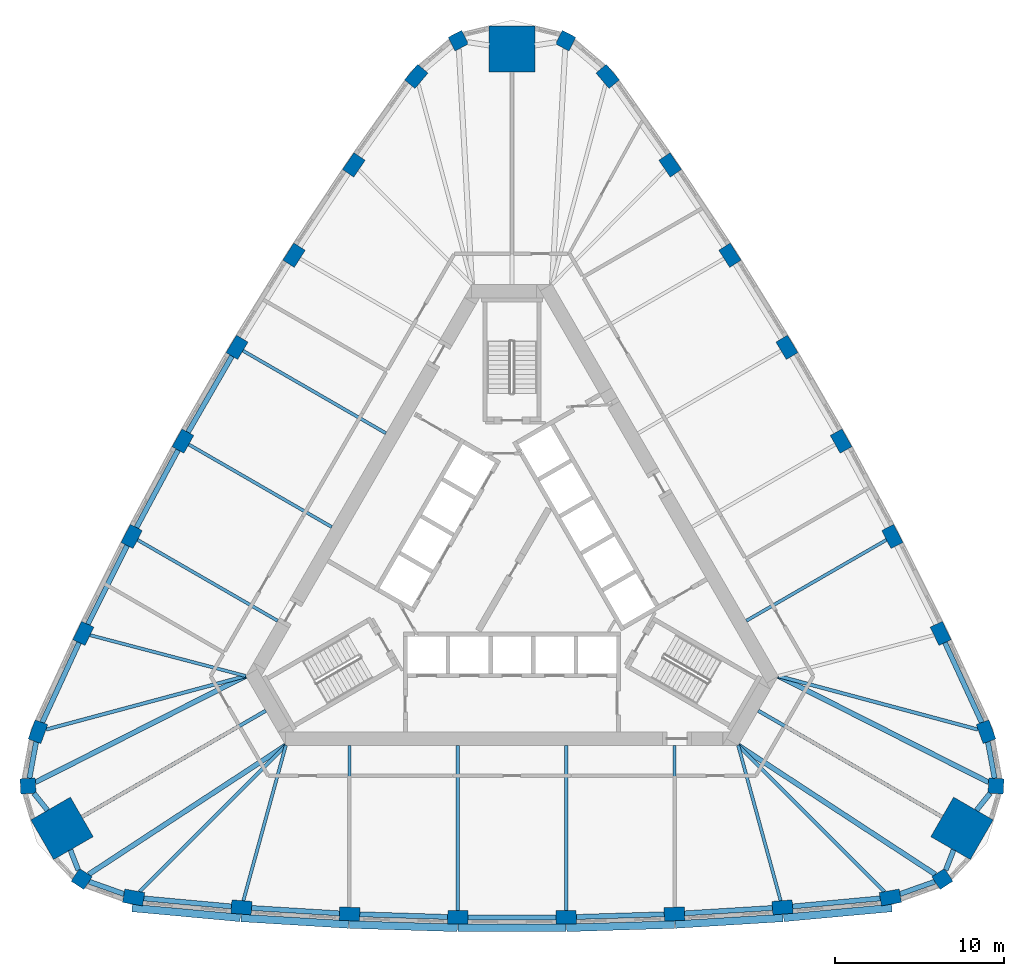
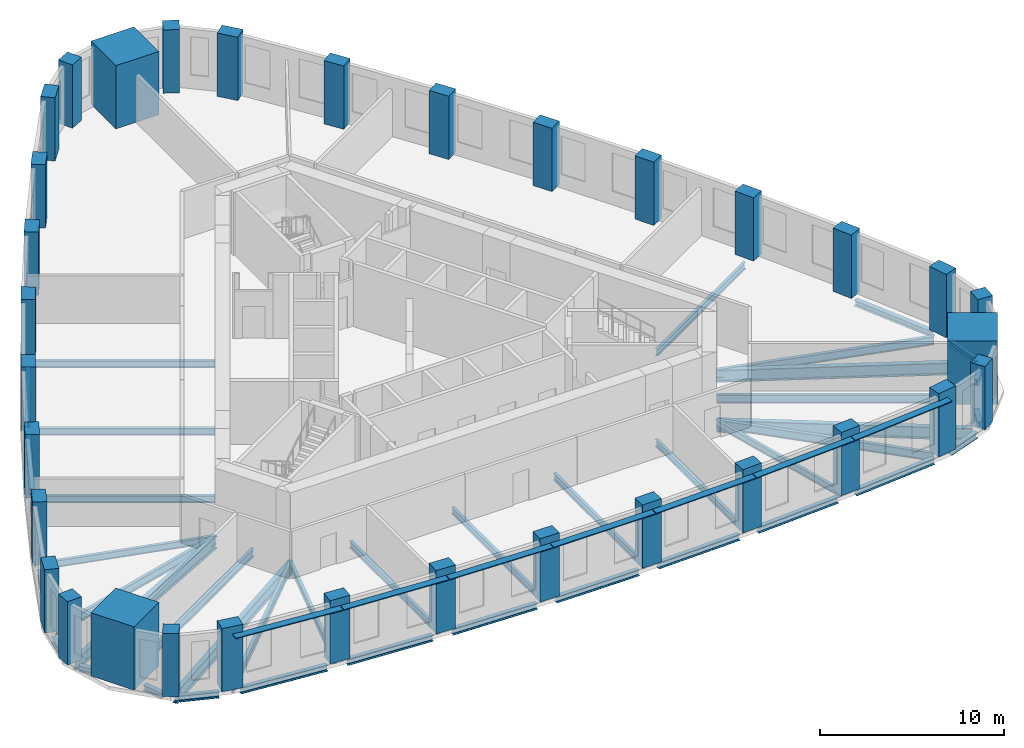
# One storey, part 1 of 9: 41 beams, 33 columns, 7 members.
"""IFC4 building model written with IfcOpenShell, lengths in metres."""

from ifc_helpers import new_model, si_unit, direction, frame, origin, origin_2d, place, context, subcontext, project, spatial, rectangle, i_section, extrude, material, material_profile, profile_set, type_object, element, save


model = new_model("IFC4")

# Units and contexts
model_context = context("Model", 3, precision=1e-05, world=origin(), true_north=direction((0.0, 1.0)))
body_context = subcontext(model_context, "Body", "Model", "MODEL_VIEW")
ifc_project = project(units=[si_unit("LENGTHUNIT", "METRE"), si_unit("AREAUNIT", "SQUARE_METRE"), si_unit("VOLUMEUNIT", "CUBIC_METRE"), si_unit("PLANEANGLEUNIT", "RADIAN"), si_unit("MASSUNIT", "GRAM", prefix="KILO")], contexts=[model_context])

# Site, building, storey
site_placement = place(None, origin())
site = spatial("IfcSite", under=ifc_project, at=site_placement, CompositionType="ELEMENT")
building_placement = place(site_placement, origin())
building = spatial("IfcBuilding", under=site, at=building_placement, Name="Mestral Congress Tower", CompositionType="ELEMENT")
storey_placement = place(building_placement, frame((0.0, 0.0, 183.60009765625)))
storey = spatial("IfcBuildingStorey", under=building, at=storey_placement, Name="L43", CompositionType="ELEMENT", Elevation=183.60009765625)

# Columns
ifc_material_1 = material(Name="Concrete C60/75", Category="concrete")
ifc_material_profile_1 = material_profile(ifc_material_1, rectangle(XDim=1.199951171875, YDim=0.800048828125, at=origin_2d()), Name="RC 1200x800")
ifc_profile_set_1 = profile_set([ifc_material_profile_1], Name="Concrete C60/75")
column_type_1 = type_object("IfcColumnType", Name="Column RC 1200x800 C60/75", PredefinedType="COLUMN", material=ifc_profile_set_1)
for number, where, z_axis, x_axis, name in (
    (1, (-22.357421875, -19.437255859375, 0.0), (0.0, 0.0, 1.0), (0.984571054206, -0.17498525429, 0.0), "COL-L43-C3-S00"),
    (2, (-15.984619140625, -20.0224609375, 0.0), (0.0, 0.0, 1.0), (0.997089725995, -0.076236987842, 0.0), "COL-L43-C3-S01"),
    (3, (-9.5966796875, -20.412841796875, 0.0), (0.0, 0.0, 1.0), (0.998951959915, -0.045770970953, 0.0), "COL-L43-C3-S02"),
    (4, (-3.199951171875, -20.608154296875, 0.0), (0.0, 0.0, 1.0), (0.999883524137, -0.015262311717, 0.0), "COL-L43-C3-S03"),
    (5, (3.199951171875, -20.608154296875, 0.0), (0.0, 0.0, 1.0), (0.999883524137, 0.015262311717, 0.0), "COL-L43-C3-S04"),
    (6, (9.5966796875, -20.412841796875, 0.0), (0.0, 0.0, 1.0), (0.998951959915, 0.045770970953, 0.0), "COL-L43-C3-S05"),
    (7, (15.984619140625, -20.0224609375, 0.0), (0.0, 0.0, 1.0), (0.997089725995, 0.076236987842, 0.0), "COL-L43-C3-S06"),
    (8, (22.357421875, -19.437255859375, 0.0), (0.0, 0.0, 1.0), (0.984571054206, 0.17498525429, 0.0), "COL-L43-C3-S07"),
    (9, (28.01171875, -9.6435546875, 0.0), (0.0, 0.0, 1.0), (-0.340743851601, 0.940156171918, 0.0), "COL-L43-C3-E00"),
    (10, (25.332275390625, -3.831787109375, 0.0), (0.0, 0.0, 1.0), (-0.432521694818, 0.901623526485, 0.0), "COL-L43-C3-E01"),
    (11, (22.476318359375, 1.8955078125, 0.0), (0.0, 0.0, 1.0), (-0.459837156356, 0.888003259923, 0.0), "COL-L43-C3-E02"),
    (12, (19.447265625, 7.532958984375, 0.0), (0.0, 0.0, 1.0), (-0.486724212401, 0.873555688587, 0.0), "COL-L43-C3-E03"),
    (13, (16.247314453125, 13.0751953125, 0.0), (0.0, 0.0, 1.0), (-0.513159311736, 0.85829337687, 0.0), "COL-L43-C3-E04"),
    (14, (12.8798828125, 18.517333984375, 0.0), (0.0, 0.0, 1.0), (-0.539114803559, 0.84223228897, 0.0), "COL-L43-C3-E05"),
    (15, (9.34765625, 23.854248046875, 0.0), (0.0, 0.0, 1.0), (-0.564568031177, 0.825386538643, 0.0), "COL-L43-C3-E06"),
    (16, (5.654296875, 29.080810546875, 0.0), (0.0, 0.0, 1.0), (-0.643827202606, 0.765170917629, 0.0), "COL-L43-C3-E07"),
    (17, (-5.654296875, 29.080810546875, 0.0), (0.0, 0.0, 1.0), (-0.643827202606, -0.765170917629, 0.0), "COL-L43-C3-W00"),
    (18, (-9.34765625, 23.854248046875, 0.0), (0.0, 0.0, 1.0), (-0.564568031177, -0.825386538643, 0.0), "COL-L43-C3-W01"),
    (19, (-12.8798828125, 18.517333984375, 0.0), (0.0, 0.0, 1.0), (-0.539114803559, -0.84223228897, 0.0), "COL-L43-C3-W02"),
    (20, (-16.247314453125, 13.0751953125, 0.0), (0.0, 0.0, 1.0), (-0.513159311736, -0.85829337687, 0.0), "COL-L43-C3-W03"),
    (21, (-19.447265625, 7.532958984375, 0.0), (0.0, 0.0, 1.0), (-0.486724212401, -0.873555688587, 0.0), "COL-L43-C3-W04"),
    (22, (-22.476318359375, 1.8955078125, 0.0), (0.0, 0.0, 1.0), (-0.459837156356, -0.888003259923, 0.0), "COL-L43-C3-W05"),
    (23, (-25.332275390625, -3.831787109375, 0.0), (0.0, 0.0, 1.0), (-0.432521694818, -0.901623526485, 0.0), "COL-L43-C3-W06"),
    (24, (-28.01171875, -9.6435546875, 0.0), (0.0, 0.0, 1.0), (-0.340743851601, -0.940156171918, 0.0), "COL-L43-C3-W07"),
):
    element("IfcColumn", number, at=place(storey_placement, frame(where, z_axis=z_axis, x_axis=x_axis)), inside=storey, type_object=column_type_1, Name=name, PredefinedType="COLUMN", context=body_context, shape_type="SweptSolid", body=[
        extrude(rectangle(XDim=1.199951171875, YDim=0.800048828125, at=origin_2d()), origin(), (0.0, 0.0, 1.0), 4.199951171875),
    ])
ifc_material_profile_2 = material_profile(ifc_material_1, rectangle(XDim=0.89990234375, YDim=0.89990234375, at=origin_2d()), Name="RC 900x900")
ifc_profile_set_2 = profile_set([ifc_material_profile_2], Name="Concrete C60/75")
column_type_2 = type_object("IfcColumnType", Name="Column RC 900x900 C60/75", PredefinedType="COLUMN", material=ifc_profile_set_2)
for number, where, z_axis, x_axis, name in (
    (25, (25.4296875, -18.34375, 0.0), (0.0, 0.0, 1.0), (0.838094050847, 0.545525766518, 0.0), "COL-L43-C3-SE1"),
    (26, (28.60107421875, -12.850830078125, 0.0), (0.0, 0.0, 1.0), (0.0533921468, 0.998573622053, 0.0), "COL-L43-C3-SE3"),
    (27, (3.17138671875, 31.194580078125, 0.0), (0.0, 0.0, 1.0), (-0.891486197647, 0.453047855535, 0.0), "COL-L43-C3-N1"),
    (28, (-3.17138671875, 31.194580078125, 0.0), (0.0, 0.0, 1.0), (-0.891486197647, -0.453047855535, 0.0), "COL-L43-C3-N3"),
    (29, (-28.60107421875, -12.850830078125, 0.0), (0.0, 0.0, 1.0), (0.0533921468, -0.998573622053, 0.0), "COL-L43-C3-SW1"),
    (30, (-25.4296875, -18.34375, 0.0), (0.0, 0.0, 1.0), (0.838094050847, -0.545525766518, 0.0), "COL-L43-C3-SW3"),
):
    element("IfcColumn", number, at=place(storey_placement, frame(where, z_axis=z_axis, x_axis=x_axis)), inside=storey, type_object=column_type_2, Name=name, PredefinedType="COLUMN", context=body_context, shape_type="SweptSolid", body=[
        extrude(rectangle(XDim=0.89990234375, YDim=0.89990234375, at=origin_2d()), origin(), (0.0, 0.0, 1.0), 4.199951171875),
    ])
ifc_material_2 = material(Name="Concrete C70/85", Category="concrete")
ifc_material_profile_3 = material_profile(ifc_material_2, rectangle(XDim=2.699951171875, YDim=2.699951171875, at=origin_2d()), Name="RC 2700x2700")
ifc_profile_set_3 = profile_set([ifc_material_profile_3], Name="Concrete C70/85")
column_type_3 = type_object("IfcColumnType", Name="Mega column RC 2700x2700 C70/85", PredefinedType="COLUMN", material=ifc_profile_set_3)
for number, where, z_axis, x_axis, name in (
    (31, (26.590576171875, -15.35205078125, 0.0), (0.0, 0.0, 1.0), (0.866025403784, -0.5, 0.0), "COL-L43-PY3-SE"),
    (32, (0.0, 30.7041015625, 0.0), (0.0, 0.0, 1.0), (0.0, 1.0, 0.0), "COL-L43-PY3-N"),
    (33, (-26.590576171875, -15.35205078125, 0.0), (0.0, 0.0, 1.0), (-0.866025403784, -0.5, 0.0), "COL-L43-PY3-SW"),
):
    element("IfcColumn", number, at=place(storey_placement, frame(where, z_axis=z_axis, x_axis=x_axis)), inside=storey, type_object=column_type_3, Name=name, PredefinedType="COLUMN", context=body_context, shape_type="SweptSolid", body=[
        extrude(rectangle(XDim=2.699951171875, YDim=2.699951171875, at=origin_2d()), origin(), (0.0, 0.0, 1.0), 4.199951171875),
    ])

# Members
ifc_material_3 = material(Name="Glazed ceramic", Category="masonry")
ifc_material_profile_4 = material_profile(ifc_material_3, rectangle(XDim=0.449951171875, YDim=0.06005859375, at=origin_2d()), Name="Ceramic blade 450 x 60")
ifc_profile_set_4 = profile_set([ifc_material_profile_4], Name="Glazed ceramic")
member_type = type_object("IfcMemberType", Name="Facade sunshade blade 450 x 60", PredefinedType="USERDEFINED", material=ifc_profile_set_4)
member_1_placement = place(storey_placement, frame((-22.451171875, -20.05615234375, 3.679931640625), z_axis=(0.995809919347, -0.091447277326, 0.0), x_axis=(0.091447277326, 0.995809919347, 0.0)))
element("IfcMember", 34, at=member_1_placement, inside=storey, type_object=member_type, Name="Sunshade F0-00", ObjectType="SUNSHADE", PredefinedType="USERDEFINED", context=body_context, shape_type="SweptSolid", body=[
    extrude(rectangle(XDim=0.449951171875, YDim=0.06005859375, at=origin_2d()), origin(), (0.0, 0.0, 1.0), 6.42333984375),
])
member_2_placement = place(storey_placement, frame((-16.009521484375, -20.647216796875, 3.679931640625), z_axis=(0.998138940399, -0.06098078107, 0.0), x_axis=(0.06098078107, 0.998138940399, 0.0)))
element("IfcMember", 35, at=member_2_placement, inside=storey, type_object=member_type, Name="Sunshade F0-01", ObjectType="SUNSHADE", PredefinedType="USERDEFINED", context=body_context, shape_type="SweptSolid", body=[
    extrude(rectangle(XDim=0.449951171875, YDim=0.06005859375, at=origin_2d()), origin(), (0.0, 0.0, 1.0), 6.373779296875),
])
for number, where, z_axis, x_axis, name in (
    (36, (-9.6025390625, -21.0380859375, 3.679931640625), (0.999535044007, -0.03049091343, 0.0), (0.03049091343, 0.999535044007, 0.0), "Sunshade F0-02"),
    (37, (-3.186767578125, -21.233154296875, 3.679931640625), (1.0, 0.0, 0.0), (0.0, 1.0, 0.0), "Sunshade F0-03"),
    (38, (3.23193359375, -21.232421875, 3.679931640625), (0.999535044007, 0.03049091343, 0.0), (-0.03049091343, 0.999535044007, 0.0), "Sunshade F0-04"),
):
    element("IfcMember", number, at=place(storey_placement, frame(where, z_axis=z_axis, x_axis=x_axis)), inside=storey, type_object=member_type, Name=name, ObjectType="SUNSHADE", PredefinedType="USERDEFINED", context=body_context, shape_type="SweptSolid", body=[
        extrude(rectangle(XDim=0.449951171875, YDim=0.06005859375, at=origin_2d()), origin(), (0.0, 0.0, 1.0), 6.37353515625),
    ])
member_3_placement = place(storey_placement, frame((9.647705078125, -21.035888671875, 3.679931640625), z_axis=(0.998138940399, 0.06098078107, 0.0), x_axis=(-0.06098078107, 0.998138940399, 0.0)))
element("IfcMember", 39, at=member_3_placement, inside=storey, type_object=member_type, Name="Sunshade F0-05", ObjectType="SUNSHADE", PredefinedType="USERDEFINED", context=body_context, shape_type="SweptSolid", body=[
    extrude(rectangle(XDim=0.449951171875, YDim=0.06005859375, at=origin_2d()), origin(), (0.0, 0.0, 1.0), 6.373779296875),
])
member_4_placement = place(storey_placement, frame((16.0546875, -20.6435546875, 3.679931640625), z_axis=(0.995809919347, 0.091447277326, 0.0), x_axis=(-0.091447277326, 0.995809919347, 0.0)))
element("IfcMember", 40, at=member_4_placement, inside=storey, type_object=member_type, Name="Sunshade F0-06", ObjectType="SUNSHADE", PredefinedType="USERDEFINED", context=body_context, shape_type="SweptSolid", body=[
    extrude(rectangle(XDim=0.449951171875, YDim=0.06005859375, at=origin_2d()), origin(), (0.0, 0.0, 1.0), 6.42333984375),
])

# Beams
ifc_material_4 = material(Name="Steel S355", Category="steel")
ifc_material_profile_5 = material_profile(ifc_material_4, i_section(OverallWidth=0.300048828125, OverallDepth=0.800048828125, WebThickness=0.017578125, FlangeThickness=0.032958984375, FilletRadius=0.030029296875, at=origin_2d()), Name="HEB 800")
ifc_profile_set_5 = profile_set([ifc_material_profile_5], Name="Steel S355")
beam_type_1 = type_object("IfcBeamType", Name="Floor beam HEB 800 S355", PredefinedType="BEAM", material=ifc_profile_set_5)
beam_1_placement = place(storey_placement, frame((25.018310546875, -18.07470703125, -0.650146484375), z_axis=(-0.836780237492, 0.547538888247, 0.0), x_axis=(-0.547538888247, -0.836780237492, 0.0)))
element("IfcBeam", 41, at=beam_1_placement, inside=storey, type_object=beam_type_1, Name="BM-L43-RB3-SE1", PredefinedType="BEAM", context=body_context, shape_type="SweptSolid", body=[
    extrude(i_section(OverallWidth=0.300048828125, OverallDepth=0.800048828125, WebThickness=0.017578125, FlangeThickness=0.032958984375, FilletRadius=0.030029296875, at=origin_2d()), origin(), (0.0, 0.0, 1.0), 13.925537109375),
])
for number, where, z_axis, x_axis, name in (
    (42, (28.162109375, -12.629150390625, -0.650146484375), (-0.892568118133, 0.450912579656, 0.0), (-0.450912579656, -0.892568118133, 0.0), "BM-L43-RB3-SE3"),
    (43, (-28.162109375, -12.629150390625, -0.650146484375), (0.892568118133, 0.450912579656, 0.0), (-0.450912579656, 0.892568118133, 0.0), "BM-L43-RB3-SW1"),
):
    element("IfcBeam", number, at=place(storey_placement, frame(where, z_axis=z_axis, x_axis=x_axis)), inside=storey, type_object=beam_type_1, Name=name, PredefinedType="BEAM", context=body_context, shape_type="SweptSolid", body=[
        extrude(i_section(OverallWidth=0.300048828125, OverallDepth=0.800048828125, WebThickness=0.017578125, FlangeThickness=0.032958984375, FilletRadius=0.030029296875, at=origin_2d()), origin(), (0.0, 0.0, 1.0), 13.92529296875),
    ])
beam_2_placement = place(storey_placement, frame((-25.018310546875, -18.07470703125, -0.650146484375), z_axis=(0.836780237492, 0.547538888247, 0.0), x_axis=(-0.547538888247, 0.836780237492, 0.0)))
element("IfcBeam", 44, at=beam_2_placement, inside=storey, type_object=beam_type_1, Name="BM-L43-RB3-SW3", PredefinedType="BEAM", context=body_context, shape_type="SweptSolid", body=[
    extrude(i_section(OverallWidth=0.300048828125, OverallDepth=0.800048828125, WebThickness=0.017578125, FlangeThickness=0.032958984375, FilletRadius=0.030029296875, at=origin_2d()), origin(), (0.0, 0.0, 1.0), 13.925537109375),
])
ifc_material_profile_6 = material_profile(ifc_material_4, i_section(OverallWidth=0.18994140625, OverallDepth=0.449951171875, WebThickness=0.009521484375, FlangeThickness=0.0146484375, FilletRadius=0.02099609375, at=origin_2d()), Name="IPE 450")
ifc_profile_set_6 = profile_set([ifc_material_profile_6], Name="Steel S355")
beam_type_2 = type_object("IfcBeamType", Name="Floor beam IPE 450 S355", PredefinedType="BEAM", material=ifc_profile_set_6)
beam_3_placement = place(storey_placement, frame((-15.876953125, -19.62939453125, -0.47509765625), z_axis=(0.263874900873, 0.964556912105, 0.0), x_axis=(-0.964556912105, 0.263874900873, 0.0)))
element("IfcBeam", 45, at=beam_3_placement, inside=storey, type_object=beam_type_2, Name="BM-L43-RB3-S01", PredefinedType="BEAM", context=body_context, shape_type="SweptSolid", body=[
    extrude(i_section(OverallWidth=0.18994140625, OverallDepth=0.449951171875, WebThickness=0.009521484375, FlangeThickness=0.0146484375, FilletRadius=0.02099609375, at=origin_2d()), origin(), (0.0, 0.0, 1.0), 9.516845703125),
])
beam_4_placement = place(storey_placement, frame((-9.5966796875, -20.012451171875, -0.47509765625), z_axis=(0.0, 1.0, 0.0), x_axis=(-1.0, 0.0, 0.0)))
element("IfcBeam", 46, at=beam_4_placement, inside=storey, type_object=beam_type_2, Name="BM-L43-RB3-S02", PredefinedType="BEAM", context=body_context, shape_type="SweptSolid", body=[
    extrude(i_section(OverallWidth=0.18994140625, OverallDepth=0.449951171875, WebThickness=0.009521484375, FlangeThickness=0.0146484375, FilletRadius=0.02099609375, at=origin_2d()), origin(), (0.0, 0.0, 1.0), 9.5625),
])
for number, where, z_axis, x_axis, name in (
    (47, (-3.199951171875, -20.208251953125, -0.47509765625), (0.0, 1.0, 0.0), (-1.0, 0.0, 0.0), "BM-L43-RB3-S03"),
    (48, (3.199951171875, -20.208251953125, -0.47509765625), (0.0, 1.0, 0.0), (-1.0, 0.0, 0.0), "BM-L43-RB3-S04"),
):
    element("IfcBeam", number, at=place(storey_placement, frame(where, z_axis=z_axis, x_axis=x_axis)), inside=storey, type_object=beam_type_2, Name=name, PredefinedType="BEAM", context=body_context, shape_type="SweptSolid", body=[
        extrude(i_section(OverallWidth=0.18994140625, OverallDepth=0.449951171875, WebThickness=0.009521484375, FlangeThickness=0.0146484375, FilletRadius=0.02099609375, at=origin_2d()), origin(), (0.0, 0.0, 1.0), 9.75830078125),
    ])
beam_5_placement = place(storey_placement, frame((9.5966796875, -20.012451171875, -0.47509765625), z_axis=(0.0, 1.0, 0.0), x_axis=(-1.0, 0.0, 0.0)))
element("IfcBeam", 49, at=beam_5_placement, inside=storey, type_object=beam_type_2, Name="BM-L43-RB3-S05", PredefinedType="BEAM", context=body_context, shape_type="SweptSolid", body=[
    extrude(i_section(OverallWidth=0.18994140625, OverallDepth=0.449951171875, WebThickness=0.009521484375, FlangeThickness=0.0146484375, FilletRadius=0.02099609375, at=origin_2d()), origin(), (0.0, 0.0, 1.0), 9.5625),
])
beam_6_placement = place(storey_placement, frame((15.876953125, -19.62939453125, -0.47509765625), z_axis=(-0.263874900873, 0.964556912105, 0.0), x_axis=(-0.964556912105, -0.263874900873, 0.0)))
element("IfcBeam", 50, at=beam_6_placement, inside=storey, type_object=beam_type_2, Name="BM-L43-RB3-S06", PredefinedType="BEAM", context=body_context, shape_type="SweptSolid", body=[
    extrude(i_section(OverallWidth=0.18994140625, OverallDepth=0.449951171875, WebThickness=0.009521484375, FlangeThickness=0.0146484375, FilletRadius=0.02099609375, at=origin_2d()), origin(), (0.0, 0.0, 1.0), 9.516845703125),
])
beam_7_placement = place(storey_placement, frame((22.129638671875, 1.6953125, -0.47509765625), z_axis=(-0.866022320763, -0.500005339912, 0.0), x_axis=(0.500005339912, -0.866022320763, 0.0)))
element("IfcBeam", 51, at=beam_7_placement, inside=storey, type_object=beam_type_2, Name="BM-L43-RB3-E02", PredefinedType="BEAM", context=body_context, shape_type="SweptSolid", body=[
    extrude(i_section(OverallWidth=0.18994140625, OverallDepth=0.449951171875, WebThickness=0.009521484375, FlangeThickness=0.0146484375, FilletRadius=0.02099609375, at=origin_2d()), origin(), (0.0, 0.0, 1.0), 9.5625),
])
beam_8_placement = place(storey_placement, frame((-15.90087890625, 12.875244140625, -0.47509765625), z_axis=(0.866025182435, -0.500000383388, 0.0), x_axis=(0.500000383388, 0.866025182435, 0.0)))
element("IfcBeam", 52, at=beam_8_placement, inside=storey, type_object=beam_type_2, Name="BM-L43-RB3-W03", PredefinedType="BEAM", context=body_context, shape_type="SweptSolid", body=[
    extrude(i_section(OverallWidth=0.18994140625, OverallDepth=0.449951171875, WebThickness=0.009521484375, FlangeThickness=0.0146484375, FilletRadius=0.02099609375, at=origin_2d()), origin(), (0.0, 0.0, 1.0), 9.75830078125),
])
beam_9_placement = place(storey_placement, frame((-19.100830078125, 7.332763671875, -0.47509765625), z_axis=(0.866036015824, -0.499981618958, 0.0), x_axis=(0.499981618958, 0.866036015824, 0.0)))
element("IfcBeam", 53, at=beam_9_placement, inside=storey, type_object=beam_type_2, Name="BM-L43-RB3-W04", PredefinedType="BEAM", context=body_context, shape_type="SweptSolid", body=[
    extrude(i_section(OverallWidth=0.18994140625, OverallDepth=0.449951171875, WebThickness=0.009521484375, FlangeThickness=0.0146484375, FilletRadius=0.02099609375, at=origin_2d()), origin(), (0.0, 0.0, 1.0), 9.758056640625),
])
beam_10_placement = place(storey_placement, frame((-22.129638671875, 1.6953125, -0.47509765625), z_axis=(0.866022320763, -0.500005339912, 0.0), x_axis=(0.500005339912, 0.866022320763, 0.0)))
element("IfcBeam", 54, at=beam_10_placement, inside=storey, type_object=beam_type_2, Name="BM-L43-RB3-W05", PredefinedType="BEAM", context=body_context, shape_type="SweptSolid", body=[
    extrude(i_section(OverallWidth=0.18994140625, OverallDepth=0.449951171875, WebThickness=0.009521484375, FlangeThickness=0.0146484375, FilletRadius=0.02099609375, at=origin_2d()), origin(), (0.0, 0.0, 1.0), 9.5625),
])
beam_11_placement = place(storey_placement, frame((-24.938232421875, -3.93505859375, -0.47509765625), z_axis=(0.967265999603, -0.253764627187, 0.0), x_axis=(0.253764627187, 0.967265999603, 0.0)))
element("IfcBeam", 55, at=beam_11_placement, inside=storey, type_object=beam_type_2, Name="BM-L43-RB3-W06", PredefinedType="BEAM", context=body_context, shape_type="SweptSolid", body=[
    extrude(i_section(OverallWidth=0.18994140625, OverallDepth=0.449951171875, WebThickness=0.009521484375, FlangeThickness=0.0146484375, FilletRadius=0.02099609375, at=origin_2d()), origin(), (0.0, 0.0, 1.0), 9.516845703125),
])
ifc_material_profile_7 = material_profile(ifc_material_4, i_section(OverallWidth=0.2099609375, OverallDepth=0.550048828125, WebThickness=0.010986328125, FlangeThickness=0.01708984375, FilletRadius=0.02392578125, at=origin_2d()), Name="IPE 550")
ifc_profile_set_7 = profile_set([ifc_material_profile_7], Name="Steel S355")
beam_type_3 = type_object("IfcBeamType", Name="Floor beam IPE 550 S355", PredefinedType="BEAM", material=ifc_profile_set_7)
for number, where, z_axis, x_axis, name in (
    (56, (-22.01220703125, -19.09228515625, -0.525146484375), (0.707276510369, 0.706937011254, 0.0), (-0.706937011254, 0.707276510369, 0.0), "BM-L43-RB3-S00"),
    (57, (22.01220703125, -19.09228515625, -0.525146484375), (-0.707276510369, 0.706937011254, 0.0), (-0.706937011254, -0.707276510369, 0.0), "BM-L43-RB3-S07"),
):
    element("IfcBeam", number, at=place(storey_placement, frame(where, z_axis=z_axis, x_axis=x_axis)), inside=storey, type_object=beam_type_3, Name=name, PredefinedType="BEAM", context=body_context, shape_type="SweptSolid", body=[
        extrude(i_section(OverallWidth=0.2099609375, OverallDepth=0.550048828125, WebThickness=0.010986328125, FlangeThickness=0.01708984375, FilletRadius=0.02392578125, at=origin_2d()), origin(), (0.0, 0.0, 1.0), 12.22509765625),
    ])
beam_12_placement = place(storey_placement, frame((25.42138671875, -14.677001953125, -0.525146484375), z_axis=(-0.866034999462, 0.49998337943, 0.0), x_axis=(-0.49998337943, -0.866034999462, 0.0)))
element("IfcBeam", 58, at=beam_12_placement, inside=storey, type_object=beam_type_3, Name="BM-L43-RB3-SE", PredefinedType="BEAM", context=body_context, shape_type="SweptSolid", body=[
    extrude(i_section(OverallWidth=0.2099609375, OverallDepth=0.550048828125, WebThickness=0.010986328125, FlangeThickness=0.01708984375, FilletRadius=0.02392578125, at=origin_2d()), origin(), (0.0, 0.0, 1.0), 12.55419921875),
])
for number, where, z_axis, x_axis, name in (
    (59, (27.54052734375, -9.51708984375, -0.525146484375), (-0.965861364708, 0.259059499276, 0.0), (-0.259059499276, -0.965861364708, 0.0), "BM-L43-RB3-E00"),
    (60, (-27.54052734375, -9.51708984375, -0.525146484375), (0.965861364708, 0.259059499276, 0.0), (-0.259059499276, 0.965861364708, 0.0), "BM-L43-RB3-W07"),
):
    element("IfcBeam", number, at=place(storey_placement, frame(where, z_axis=z_axis, x_axis=x_axis)), inside=storey, type_object=beam_type_3, Name=name, PredefinedType="BEAM", context=body_context, shape_type="SweptSolid", body=[
        extrude(i_section(OverallWidth=0.2099609375, OverallDepth=0.550048828125, WebThickness=0.010986328125, FlangeThickness=0.01708984375, FilletRadius=0.02392578125, at=origin_2d()), origin(), (0.0, 0.0, 1.0), 12.224853515625),
    ])
beam_13_placement = place(storey_placement, frame((-25.42138671875, -14.677001953125, -0.525146484375), z_axis=(0.866034999462, 0.49998337943, 0.0), x_axis=(-0.49998337943, 0.866034999462, 0.0)))
element("IfcBeam", 61, at=beam_13_placement, inside=storey, type_object=beam_type_3, Name="BM-L43-RB3-SW", PredefinedType="BEAM", context=body_context, shape_type="SweptSolid", body=[
    extrude(i_section(OverallWidth=0.2099609375, OverallDepth=0.550048828125, WebThickness=0.010986328125, FlangeThickness=0.01708984375, FilletRadius=0.02392578125, at=origin_2d()), origin(), (0.0, 0.0, 1.0), 12.55419921875),
])
ifc_material_profile_8 = material_profile(ifc_material_4, i_section(OverallWidth=0.300048828125, OverallDepth=0.389892578125, WebThickness=0.010986328125, FlangeThickness=0.01904296875, FilletRadius=0.027099609375, at=origin_2d()), Name="HEA 400")
ifc_profile_set_8 = profile_set([ifc_material_profile_8], Name="Steel S355")
beam_type_4 = type_object("IfcBeamType", Name="Spandrel beam HEA 400 S355", PredefinedType="BEAM", material=ifc_profile_set_8)
beam_14_placement = place(storey_placement, frame((-21.7578125, -19.4921875, -0.445068359375), z_axis=(0.995809233617, -0.091454744238, 0.0), x_axis=(0.091454744238, 0.995809233617, 0.0)))
element("IfcBeam", 62, at=beam_14_placement, inside=storey, type_object=beam_type_4, Name="SP-L43-SB3-S00", PredefinedType="BEAM", context=body_context, shape_type="SweptSolid", body=[
    extrude(i_section(OverallWidth=0.300048828125, OverallDepth=0.389892578125, WebThickness=0.010986328125, FlangeThickness=0.01904296875, FilletRadius=0.027099609375, at=origin_2d()), origin(), (0.0, 0.0, 1.0), 5.197509765625),
])
beam_15_placement = place(storey_placement, frame((-15.385498046875, -20.05908203125, -0.445068359375), z_axis=(0.998138215809, -0.060992640057, 0.0), x_axis=(0.060992640057, 0.998138215809, 0.0)))
element("IfcBeam", 63, at=beam_15_placement, inside=storey, type_object=beam_type_4, Name="SP-L43-SB3-S01", PredefinedType="BEAM", context=body_context, shape_type="SweptSolid", body=[
    extrude(i_section(OverallWidth=0.300048828125, OverallDepth=0.389892578125, WebThickness=0.010986328125, FlangeThickness=0.01904296875, FilletRadius=0.027099609375, at=origin_2d()), origin(), (0.0, 0.0, 1.0), 5.19970703125),
])
beam_16_placement = place(storey_placement, frame((-8.996826171875, -20.43115234375, -0.445068359375), z_axis=(0.999534130554, -0.030520842996, 0.0), x_axis=(0.030520842996, 0.999534130554, 0.0)))
element("IfcBeam", 64, at=beam_16_placement, inside=storey, type_object=beam_type_4, Name="SP-L43-SB3-S02", PredefinedType="BEAM", context=body_context, shape_type="SweptSolid", body=[
    extrude(i_section(OverallWidth=0.300048828125, OverallDepth=0.389892578125, WebThickness=0.010986328125, FlangeThickness=0.01904296875, FilletRadius=0.027099609375, at=origin_2d()), origin(), (0.0, 0.0, 1.0), 5.199462890625),
])
beam_17_placement = place(storey_placement, frame((-2.599853515625, -20.608154296875, -0.445068359375), z_axis=(1.0, 0.0, 0.0), x_axis=(0.0, 1.0, 0.0)))
element("IfcBeam", 65, at=beam_17_placement, inside=storey, type_object=beam_type_4, Name="SP-L43-SB3-S03", PredefinedType="BEAM", context=body_context, shape_type="SweptSolid", body=[
    extrude(i_section(OverallWidth=0.300048828125, OverallDepth=0.389892578125, WebThickness=0.010986328125, FlangeThickness=0.01904296875, FilletRadius=0.027099609375, at=origin_2d()), origin(), (0.0, 0.0, 1.0), 5.19970703125),
])
beam_18_placement = place(storey_placement, frame((3.7998046875, -20.58984375, -0.445068359375), z_axis=(0.999534130554, 0.030520842996, 0.0), x_axis=(-0.030520842996, 0.999534130554, 0.0)))
element("IfcBeam", 66, at=beam_18_placement, inside=storey, type_object=beam_type_4, Name="SP-L43-SB3-S04", PredefinedType="BEAM", context=body_context, shape_type="SweptSolid", body=[
    extrude(i_section(OverallWidth=0.300048828125, OverallDepth=0.389892578125, WebThickness=0.010986328125, FlangeThickness=0.01904296875, FilletRadius=0.027099609375, at=origin_2d()), origin(), (0.0, 0.0, 1.0), 5.199462890625),
])
beam_19_placement = place(storey_placement, frame((10.195556640625, -20.376220703125, -0.445068359375), z_axis=(0.998138215809, 0.060992640057, 0.0), x_axis=(-0.060992640057, 0.998138215809, 0.0)))
element("IfcBeam", 67, at=beam_19_placement, inside=storey, type_object=beam_type_4, Name="SP-L43-SB3-S05", PredefinedType="BEAM", context=body_context, shape_type="SweptSolid", body=[
    extrude(i_section(OverallWidth=0.300048828125, OverallDepth=0.389892578125, WebThickness=0.010986328125, FlangeThickness=0.01904296875, FilletRadius=0.027099609375, at=origin_2d()), origin(), (0.0, 0.0, 1.0), 5.19970703125),
])
beam_20_placement = place(storey_placement, frame((16.58203125, -19.967529296875, -0.445068359375), z_axis=(0.995809233617, 0.091454744238, 0.0), x_axis=(-0.091454744238, 0.995809233617, 0.0)))
element("IfcBeam", 68, at=beam_20_placement, inside=storey, type_object=beam_type_4, Name="SP-L43-SB3-S06", PredefinedType="BEAM", context=body_context, shape_type="SweptSolid", body=[
    extrude(i_section(OverallWidth=0.300048828125, OverallDepth=0.389892578125, WebThickness=0.010986328125, FlangeThickness=0.01904296875, FilletRadius=0.027099609375, at=origin_2d()), origin(), (0.0, 0.0, 1.0), 5.197509765625),
])
beam_21_placement = place(storey_placement, frame((22.9306640625, -19.233154296875, -0.445068359375), z_axis=(0.942124718118, 0.33526260679, 0.0), x_axis=(-0.33526260679, 0.942124718118, 0.0)))
element("IfcBeam", 69, at=beam_21_placement, inside=storey, type_object=beam_type_4, Name="SP-L43-SB3-S07", PredefinedType="BEAM", context=body_context, shape_type="SweptSolid", body=[
    extrude(i_section(OverallWidth=0.300048828125, OverallDepth=0.389892578125, WebThickness=0.010986328125, FlangeThickness=0.01904296875, FilletRadius=0.027099609375, at=origin_2d()), origin(), (0.0, 0.0, 1.0), 2.189697265625),
])
for number, where, z_axis, x_axis, name in (
    (70, (25.630126953125, -17.826904296875, -0.445068359375), (0.361897583915, 0.932217860136, 0.0), (-0.932217860136, 0.361897583915, 0.0), "SP-L43-SB3-SE1"),
    (71, (27.446533203125, -14.287353515625, -0.445068359375), (0.626403443736, 0.779499022242, 0.0), (-0.779499022242, 0.626403443736, 0.0), "SP-L43-SB3-SE"),
):
    element("IfcBeam", number, at=place(storey_placement, frame(where, z_axis=z_axis, x_axis=x_axis)), inside=storey, type_object=beam_type_4, Name=name, PredefinedType="BEAM", context=body_context, shape_type="SweptSolid", body=[
        extrude(i_section(OverallWidth=0.300048828125, OverallDepth=0.389892578125, WebThickness=0.010986328125, FlangeThickness=0.01904296875, FilletRadius=0.027099609375, at=origin_2d()), origin(), (0.0, 0.0, 1.0), 1.28857421875),
    ])
beam_22_placement = place(storey_placement, frame((28.517333984375, -12.395751953125, -0.445068359375), z_axis=(-0.18061190167, 0.983554442304, 0.0), x_axis=(-0.983554442304, -0.18061190167, 0.0)))
element("IfcBeam", 72, at=beam_22_placement, inside=storey, type_object=beam_type_4, Name="SP-L43-SB3-SE3", PredefinedType="BEAM", context=body_context, shape_type="SweptSolid", body=[
    extrude(i_section(OverallWidth=0.300048828125, OverallDepth=0.389892578125, WebThickness=0.010986328125, FlangeThickness=0.01904296875, FilletRadius=0.027099609375, at=origin_2d()), origin(), (0.0, 0.0, 1.0), 2.18994140625),
])
beam_23_placement = place(storey_placement, frame((27.759765625, -9.0966796875, -0.445068359375), z_axis=(-0.418712613032, 0.908118796022, 0.0), x_axis=(-0.908118796022, -0.418712613032, 0.0)))
element("IfcBeam", 73, at=beam_23_placement, inside=storey, type_object=beam_type_4, Name="SP-L43-SB3-E00", PredefinedType="BEAM", context=body_context, shape_type="SweptSolid", body=[
    extrude(i_section(OverallWidth=0.300048828125, OverallDepth=0.389892578125, WebThickness=0.010986328125, FlangeThickness=0.01904296875, FilletRadius=0.027099609375, at=origin_2d()), origin(), (0.0, 0.0, 1.0), 5.197509765625),
])
for number, where, z_axis, x_axis, name in (
    (74, (-16.54736328125, 12.5556640625, -0.445068359375), (-0.499992051641, -0.866029992723, 0.0), (0.866029992723, -0.499992051641, 0.0), "SP-L43-SB3-W03"),
    (75, (-19.731201171875, 7.00439453125, -0.445068359375), (-0.473332458078, -0.880883865291, 0.0), (0.880883865291, -0.473332458078, 0.0), "SP-L43-SB3-W04"),
):
    element("IfcBeam", number, at=place(storey_placement, frame(where, z_axis=z_axis, x_axis=x_axis)), inside=storey, type_object=beam_type_4, Name=name, PredefinedType="BEAM", context=body_context, shape_type="SweptSolid", body=[
        extrude(i_section(OverallWidth=0.300048828125, OverallDepth=0.389892578125, WebThickness=0.010986328125, FlangeThickness=0.01904296875, FilletRadius=0.027099609375, at=origin_2d()), origin(), (0.0, 0.0, 1.0), 5.19970703125),
    ])
beam_24_placement = place(storey_placement, frame((-22.744140625, 1.3583984375, -0.445068359375), z_axis=(-0.446255467462, -0.894905613884, 0.0), x_axis=(0.894905613884, -0.446255467462, 0.0)))
element("IfcBeam", 76, at=beam_24_placement, inside=storey, type_object=beam_type_4, Name="SP-L43-SB3-W05", PredefinedType="BEAM", context=body_context, shape_type="SweptSolid", body=[
    extrude(i_section(OverallWidth=0.300048828125, OverallDepth=0.389892578125, WebThickness=0.010986328125, FlangeThickness=0.01904296875, FilletRadius=0.027099609375, at=origin_2d()), origin(), (0.0, 0.0, 1.0), 5.199462890625),
])
beam_25_placement = place(storey_placement, frame((-25.58349609375, -4.376708984375, -0.445068359375), z_axis=(-0.418712613032, -0.908118796022, 0.0), x_axis=(0.908118796022, -0.418712613032, 0.0)))
element("IfcBeam", 77, at=beam_25_placement, inside=storey, type_object=beam_type_4, Name="SP-L43-SB3-W06", PredefinedType="BEAM", context=body_context, shape_type="SweptSolid", body=[
    extrude(i_section(OverallWidth=0.300048828125, OverallDepth=0.389892578125, WebThickness=0.010986328125, FlangeThickness=0.01904296875, FilletRadius=0.027099609375, at=origin_2d()), origin(), (0.0, 0.0, 1.0), 5.197509765625),
])
beam_26_placement = place(storey_placement, frame((-28.121826171875, -10.241943359375, -0.445068359375), z_axis=(-0.18061190167, -0.983554442304, 0.0), x_axis=(0.983554442304, -0.18061190167, 0.0)))
element("IfcBeam", 78, at=beam_26_placement, inside=storey, type_object=beam_type_4, Name="SP-L43-SB3-W07", PredefinedType="BEAM", context=body_context, shape_type="SweptSolid", body=[
    extrude(i_section(OverallWidth=0.300048828125, OverallDepth=0.389892578125, WebThickness=0.010986328125, FlangeThickness=0.01904296875, FilletRadius=0.027099609375, at=origin_2d()), origin(), (0.0, 0.0, 1.0), 2.18994140625),
])
for number, where, z_axis, x_axis, name in (
    (79, (-28.253662109375, -13.282958984375, -0.445068359375), (0.626403443736, -0.779499022242, 0.0), (0.779499022242, 0.626403443736, 0.0), "SP-L43-SB3-SW1"),
    (80, (-26.096435546875, -16.625732421875, -0.445068359375), (0.361897583915, -0.932217860136, 0.0), (0.932217860136, 0.361897583915, 0.0), "SP-L43-SB3-SW"),
):
    element("IfcBeam", number, at=place(storey_placement, frame(where, z_axis=z_axis, x_axis=x_axis)), inside=storey, type_object=beam_type_4, Name=name, PredefinedType="BEAM", context=body_context, shape_type="SweptSolid", body=[
        extrude(i_section(OverallWidth=0.300048828125, OverallDepth=0.389892578125, WebThickness=0.010986328125, FlangeThickness=0.01904296875, FilletRadius=0.027099609375, at=origin_2d()), origin(), (0.0, 0.0, 1.0), 1.28857421875),
    ])
beam_27_placement = place(storey_placement, frame((-24.99365234375, -18.4990234375, -0.445068359375), z_axis=(0.942124718118, -0.33526260679, 0.0), x_axis=(0.33526260679, 0.942124718118, 0.0)))
element("IfcBeam", 81, at=beam_27_placement, inside=storey, type_object=beam_type_4, Name="SP-L43-SB3-SW3", PredefinedType="BEAM", context=body_context, shape_type="SweptSolid", body=[
    extrude(i_section(OverallWidth=0.300048828125, OverallDepth=0.389892578125, WebThickness=0.010986328125, FlangeThickness=0.01904296875, FilletRadius=0.027099609375, at=origin_2d()), origin(), (0.0, 0.0, 1.0), 2.189697265625),
])

save(model, "model.ifc")
